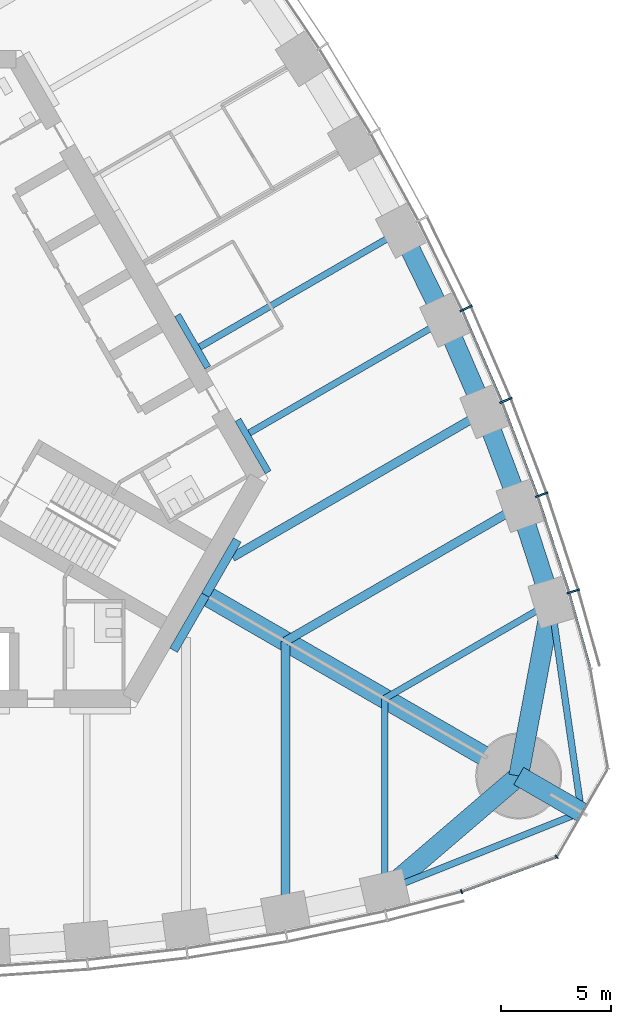
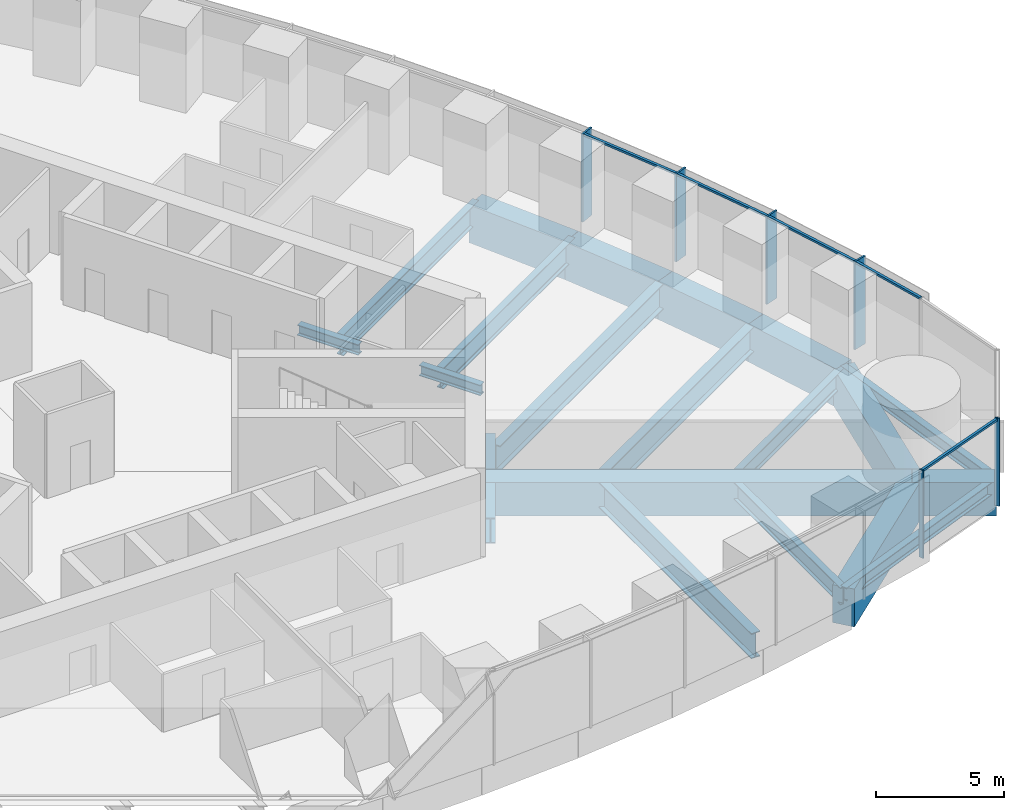
# One storey, part 4 of 18: 21 beams, 11 members, 2 elements without a shape of their own.
"""IFC4 building model written with IfcOpenShell, lengths in metres."""

from ifc_helpers import new_model, si_unit, direction, frame, origin, origin_2d, place, context, subcontext, project, spatial, rectangle, i_section, extrude, material, material_profile, profile_set, type_object, element, aggregate, save


model = new_model("IFC4")

# Units and contexts
model_context = context("Model", 3, precision=1e-05, world=origin(), true_north=direction((0.0, 1.0)))
body_context = subcontext(model_context, "Body", "Model", "MODEL_VIEW")
ifc_project = project(units=[si_unit("LENGTHUNIT", "METRE"), si_unit("AREAUNIT", "SQUARE_METRE"), si_unit("VOLUMEUNIT", "CUBIC_METRE"), si_unit("PLANEANGLEUNIT", "RADIAN"), si_unit("MASSUNIT", "GRAM", prefix="KILO")], contexts=[model_context])

# Site, building, storey
site_placement = place(None, origin())
site = spatial("IfcSite", under=ifc_project, at=site_placement, CompositionType="ELEMENT")
building_placement = place(site_placement, origin())
building = spatial("IfcBuilding", under=site, at=building_placement, Name="Trefoil Bronze Tower", CompositionType="ELEMENT")
storey_placement = place(building_placement, frame((0.0, 0.0, 202.300048828125)))
storey = spatial("IfcBuildingStorey", under=building, at=storey_placement, Name="L46", CompositionType="ELEMENT", Elevation=202.300048828125)

# Curtain wall, members
ifc_material_1 = material(Name="Tinted solar-control glass", Category="glass")
curtain_wall_type_1 = type_object("IfcCurtainWallType", Name="Bronze office curtain wall", PredefinedType="USERDEFINED", material=ifc_material_1)
curtain_wall_1_placement = place(storey_placement, origin())
curtain_wall_1 = element("IfcCurtainWall", 1, at=curtain_wall_1_placement, inside=storey, type_object=curtain_wall_type_1, Name="CW-A L46 F2", ObjectType="CURTAIN WALL", PredefinedType="USERDEFINED")
ifc_material_2 = material(Name="Bronze-finish aluminium", Category="aluminium")
ifc_material_profile_1 = material_profile(ifc_material_2, rectangle(XDim=0.60009765625, YDim=0.080078125, at=origin_2d()), Name="CW-A mullion")
ifc_profile_set_1 = profile_set([ifc_material_profile_1], Name="Bronze-finish aluminium")
member_type_1 = type_object("IfcMemberType", Name="Bronze office curtain wall mullion", PredefinedType="MULLION", material=ifc_profile_set_1)
member_1_placement = place(storey_placement, frame((31.05029296875, -8.132568359375, 0.0), z_axis=(0.0, 0.0, 1.0), x_axis=(-0.95694224323, -0.290278389002, 0.0)))
member_1 = element("IfcMember", 2, at=member_1_placement, type_object=member_type_1, Name="CW-A L46 F2 mullion 2", PredefinedType="MULLION", context=body_context, shape_type="SweptSolid", body=[
    extrude(rectangle(XDim=0.60009765625, YDim=0.080078125, at=origin_2d()), origin(), (0.0, 0.0, 1.0), 4.179931640625),
])
member_2_placement = place(storey_placement, frame((29.619873046875, -3.747314453125, 0.0), z_axis=(0.0, 0.0, 1.0), x_axis=(-0.943180077746, -0.332282020191, 0.0)))
member_2 = element("IfcMember", 3, at=member_2_placement, type_object=member_type_1, Name="CW-A L46 F2 mullion 3", PredefinedType="MULLION", context=body_context, shape_type="SweptSolid", body=[
    extrude(rectangle(XDim=0.60009765625, YDim=0.080078125, at=origin_2d()), origin(), (0.0, 0.0, 1.0), 4.179931640625),
])
member_3_placement = place(storey_placement, frame((27.999755859375, 0.529541015625, 0.0), z_axis=(0.0, 0.0, 1.0), x_axis=(-0.926689348282, -0.375828221106, 0.0)))
member_3 = element("IfcMember", 4, at=member_3_placement, type_object=member_type_1, Name="CW-A L46 F2 mullion 4", PredefinedType="MULLION", context=body_context, shape_type="SweptSolid", body=[
    extrude(rectangle(XDim=0.60009765625, YDim=0.080078125, at=origin_2d()), origin(), (0.0, 0.0, 1.0), 4.179931640625),
])
member_4_placement = place(storey_placement, frame((26.19482421875, 4.699462890625, 0.0), z_axis=(0.0, 0.0, 1.0), x_axis=(-0.908315380354, -0.418285990457, 0.0)))
member_4 = element("IfcMember", 5, at=member_4_placement, type_object=member_type_1, Name="CW-A L46 F2 mullion 5", PredefinedType="MULLION", context=body_context, shape_type="SweptSolid", body=[
    extrude(rectangle(XDim=0.60009765625, YDim=0.080078125, at=origin_2d()), origin(), (0.0, 0.0, 1.0), 4.179931640625),
])
ifc_material_3 = material(Name="Bronze-finish aluminium", Category="aluminium")
ifc_material_profile_2 = material_profile(ifc_material_3, rectangle(XDim=0.1201171875, YDim=0.10009765625, at=origin_2d()), Name="CW-A transom")
ifc_profile_set_2 = profile_set([ifc_material_profile_2], Name="Bronze-finish aluminium")
member_type_2 = type_object("IfcMemberType", Name="Bronze office curtain wall transom", PredefinedType="USERDEFINED", material=ifc_profile_set_2)
member_5_placement = place(storey_placement, frame((31.81201171875, -11.585205078125, 4.1298828125), z_axis=(-0.270284880437, 0.962780392097, 0.0), x_axis=(-0.962780392097, -0.270284880437, 0.0)))
member_5 = element("IfcMember", 6, at=member_5_placement, type_object=member_type_2, Name="CW-A L46 F2 transom 1", ObjectType="TRANSOM", PredefinedType="USERDEFINED", context=body_context, shape_type="SweptSolid", body=[
    extrude(rectangle(XDim=0.1201171875, YDim=0.10009765625, at=origin_2d()), origin(), (0.0, 0.0, 1.0), 3.48388671875),
])
member_6_placement = place(storey_placement, frame((30.845947265625, -8.150634765625, 4.1298828125), z_axis=(-0.310127806788, 0.950694874004, 0.0), x_axis=(-0.950694874004, -0.310127806788, 0.0)))
member_6 = element("IfcMember", 7, at=member_6_placement, type_object=member_type_2, Name="CW-A L46 F2 transom 2", ObjectType="TRANSOM", PredefinedType="USERDEFINED", context=body_context, shape_type="SweptSolid", body=[
    extrude(rectangle(XDim=0.1201171875, YDim=0.10009765625, at=origin_2d()), origin(), (0.0, 0.0, 1.0), 4.51953125),
])
member_7_placement = place(storey_placement, frame((29.416259765625, -3.774169921875, 4.1298828125), z_axis=(-0.354263170896, 0.935145767112, 0.0), x_axis=(-0.935145767112, -0.354263170896, 0.0)))
member_7 = element("IfcMember", 8, at=member_7_placement, type_object=member_type_2, Name="CW-A L46 F2 transom 3", ObjectType="TRANSOM", PredefinedType="USERDEFINED", context=body_context, shape_type="SweptSolid", body=[
    extrude(rectangle(XDim=0.1201171875, YDim=0.10009765625, at=origin_2d()), origin(), (0.0, 0.0, 1.0), 4.4794921875),
])
member_8_placement = place(storey_placement, frame((27.797607421875, 0.4931640625, 4.1298828125), z_axis=(-0.397220936772, 0.917723012346, 0.0), x_axis=(-0.917723012346, -0.397220936772, 0.0)))
member_8 = element("IfcMember", 9, at=member_8_placement, type_object=member_type_2, Name="CW-A L46 F2 transom 4", ObjectType="TRANSOM", PredefinedType="USERDEFINED", context=body_context, shape_type="SweptSolid", body=[
    extrude(rectangle(XDim=0.1201171875, YDim=0.10009765625, at=origin_2d()), origin(), (0.0, 0.0, 1.0), 4.449951171875),
])
aggregate(curtain_wall_1, [member_1, member_2, member_3, member_4, member_5, member_6, member_7, member_8])

ifc_material_4 = material(Name="Tinted solar-control glass", Category="glass")
curtain_wall_type_2 = type_object("IfcCurtainWallType", Name="Bronze rounded corner curtain wall", PredefinedType="USERDEFINED", material=ifc_material_4)
curtain_wall_2_placement = place(storey_placement, origin())
curtain_wall_2 = element("IfcCurtainWall", 10, at=curtain_wall_2_placement, inside=storey, type_object=curtain_wall_type_2, Name="CW-B L46 K1", ObjectType="CURTAIN WALL", PredefinedType="USERDEFINED")
ifc_material_5 = material(Name="Bronze-finish aluminium", Category="aluminium")
ifc_material_profile_3 = material_profile(ifc_material_5, rectangle(XDim=0.199951171875, YDim=0.06005859375, at=origin_2d()), Name="CW-B mullion")
ifc_profile_set_3 = profile_set([ifc_material_profile_3], Name="Bronze-finish aluminium")
member_type_3 = type_object("IfcMemberType", Name="Bronze rounded corner curtain wall mullion", PredefinedType="MULLION", material=ifc_profile_set_3)
member_9_placement = place(storey_placement, frame((25.9873046875, -21.74462890625, 0.0), z_axis=(0.0, 0.0, 1.0), x_axis=(-0.342020143326, 0.939692620786, 0.0)))
member_9 = element("IfcMember", 11, at=member_9_placement, type_object=member_type_3, Name="CW-B L46 K1 mullion 1", PredefinedType="MULLION", context=body_context, shape_type="SweptSolid", body=[
    extrude(rectangle(XDim=0.199951171875, YDim=0.06005859375, at=origin_2d()), origin(), (0.0, 0.0, 1.0), 4.179931640625),
])
member_10_placement = place(storey_placement, frame((30.302490234375, -20.16748046875, 0.0), z_axis=(0.0, 0.0, 1.0), x_axis=(-0.642787609687, 0.766044443119, 0.0)))
member_10 = element("IfcMember", 12, at=member_10_placement, type_object=member_type_3, Name="CW-B L46 K1 mullion 2", PredefinedType="MULLION", context=body_context, shape_type="SweptSolid", body=[
    extrude(rectangle(XDim=0.199951171875, YDim=0.06005859375, at=origin_2d()), origin(), (0.0, 0.0, 1.0), 4.179931640625),
])
ifc_material_6 = material(Name="Bronze-finish aluminium", Category="aluminium")
ifc_material_profile_4 = material_profile(ifc_material_6, rectangle(XDim=0.1201171875, YDim=0.10009765625, at=origin_2d()), Name="CW-B transom")
ifc_profile_set_4 = profile_set([ifc_material_profile_4], Name="Bronze-finish aluminium")
member_type_4 = type_object("IfcMemberType", Name="Bronze rounded corner curtain wall transom", PredefinedType="USERDEFINED", material=ifc_profile_set_4)
member_11_placement = place(storey_placement, frame((26.015380859375, -21.734375, 4.1298828125), z_axis=(0.939680910753, 0.342052314664, 0.0), x_axis=(-0.342052314664, 0.939680910753, 0.0)))
member_11 = element("IfcMember", 13, at=member_11_placement, type_object=member_type_4, Name="CW-B L46 K1 transom 1", ObjectType="TRANSOM", PredefinedType="USERDEFINED", context=body_context, shape_type="SweptSolid", body=[
    extrude(rectangle(XDim=0.1201171875, YDim=0.10009765625, at=origin_2d()), origin(), (0.0, 0.0, 1.0), 4.500244140625),
])
aggregate(curtain_wall_2, [member_9, member_10, member_11])

# Beams
ifc_material_7 = material(Name="Steel C355", Category="steel")
ifc_material_profile_5 = material_profile(ifc_material_7, i_section(OverallWidth=0.300048828125, OverallDepth=0.5, WebThickness=0.014404296875, FlangeThickness=0.028076171875, FilletRadius=0.027099609375, at=origin_2d()), Name="HEB 500")
ifc_profile_set_5 = profile_set([ifc_material_profile_5], Name="Steel C355")
beam_type_1 = type_object("IfcBeamType", Name="Core seat beam HEB 500", PredefinedType="BEAM", material=ifc_profile_set_5)
for number, where, z_axis, x_axis, name in (
    (14, (17.219482421875, -2.72509765625, -0.449951171875), (-0.500035825175, 0.866004719122, 0.0), (-0.866004719122, -0.500035825175, 0.0), "Core seat beam F2/-2 L46"),
    (15, (14.47705078125, 2.02490234375, -0.449951171875), (-0.499969057507, 0.866043267704, 0.0), (-0.866043267704, -0.499969057507, 0.0), "Core seat beam F2/-1 L46"),
):
    element("IfcBeam", number, at=place(storey_placement, frame(where, z_axis=z_axis, x_axis=x_axis)), inside=storey, type_object=beam_type_1, Name=name, PredefinedType="BEAM", context=body_context, shape_type="SweptSolid", body=[
        extrude(i_section(OverallWidth=0.300048828125, OverallDepth=0.5, WebThickness=0.014404296875, FlangeThickness=0.028076171875, FilletRadius=0.027099609375, at=origin_2d()), origin(), (0.0, 0.0, 1.0), 2.742431640625),
    ])
ifc_material_8 = material(Name="Steel C355", Category="steel")
ifc_material_profile_6 = material_profile(ifc_material_8, i_section(OverallWidth=0.39990234375, OverallDepth=1.199951171875, WebThickness=0.02001953125, FlangeThickness=0.0400390625, FilletRadius=0.010009765625, at=origin_2d()), Name="WPG 1200")
ifc_profile_set_6 = profile_set([ifc_material_profile_6], Name="Steel C355")
beam_type_2 = type_object("IfcBeamType", Name="Core seat beam WPG 1200", PredefinedType="BEAM", material=ifc_profile_set_6)
for number, where, z_axis, x_axis, name in (
    (16, (12.9326171875, -10.800048828125, -0.800048828125), (0.499995765644, 0.866027848477, 0.0), (-0.866027848477, 0.499995765644, 0.0), "Core seat beam F1/+3 L46"),
    (17, (14.3759765625, -8.300048828125, -0.800048828125), (0.499995765644, 0.866027848477, 0.0), (-0.866027848477, 0.499995765644, 0.0), "Core seat beam F2/-3 L46"),
):
    element("IfcBeam", number, at=place(storey_placement, frame(where, z_axis=z_axis, x_axis=x_axis)), inside=storey, type_object=beam_type_2, Name=name, PredefinedType="BEAM", context=body_context, shape_type="SweptSolid", body=[
        extrude(i_section(OverallWidth=0.39990234375, OverallDepth=1.199951171875, WebThickness=0.02001953125, FlangeThickness=0.0400390625, FilletRadius=0.010009765625, at=origin_2d()), origin(), (0.0, 0.0, 1.0), 2.88671875),
    ])
ifc_material_9 = material(Name="Concrete B80", Category="concrete")
ifc_material_profile_7 = material_profile(ifc_material_9, rectangle(XDim=0.89990234375, YDim=1.60009765625, at=origin_2d()), Name="RC 900x1600")
ifc_profile_set_7 = profile_set([ifc_material_profile_7], Name="Concrete B80")
beam_type_3 = type_object("IfcBeamType", Name="Corner cantilever RC 900x1600", PredefinedType="BEAM", material=ifc_profile_set_7)
beam_1_placement = place(storey_placement, frame((28.578857421875, -16.5, -1.0), z_axis=(0.866016004958, -0.500016278891, 0.0), x_axis=(0.500016278891, 0.866016004958, 0.0)))
element("IfcBeam", 18, at=beam_1_placement, inside=storey, type_object=beam_type_3, Name="Corner cantilever K1 L46", PredefinedType="BEAM", context=body_context, shape_type="SweptSolid", body=[
    extrude(rectangle(XDim=0.89990234375, YDim=1.60009765625, at=origin_2d()), origin(), (0.0, 0.0, 1.0), 3.28466796875),
])
ifc_material_10 = material(Name="Steel C355", Category="steel")
ifc_material_profile_8 = material_profile(ifc_material_10, i_section(OverallWidth=0.300048828125, OverallDepth=0.60009765625, WebThickness=0.015380859375, FlangeThickness=0.030029296875, FilletRadius=0.027099609375, at=origin_2d()), Name="HEB 600")
ifc_profile_set_8 = profile_set([ifc_material_profile_8], Name="Steel C355")
beam_type_4 = type_object("IfcBeamType", Name="Corner edge beam HEB 600", PredefinedType="BEAM", material=ifc_profile_set_8)
for number, where, z_axis, x_axis, name in (
    (19, (22.5, -21.71044921875, -0.5), (0.92852048463, 0.371281173266, 0.0), (-0.371281173266, 0.92852048463, 0.0), "Corner edge beam F1A L46"),
    (20, (30.052001953125, -8.63037109375, -0.5), (0.142694489722, -0.989766781925, 0.0), (0.989766781925, 0.142694489722, 0.0), "Corner edge beam F2B L46"),
):
    element("IfcBeam", number, at=place(storey_placement, frame(where, z_axis=z_axis, x_axis=x_axis)), inside=storey, type_object=beam_type_4, Name=name, PredefinedType="BEAM", context=body_context, shape_type="SweptSolid", body=[
        extrude(i_section(OverallWidth=0.300048828125, OverallDepth=0.60009765625, WebThickness=0.015380859375, FlangeThickness=0.030029296875, FilletRadius=0.027099609375, at=origin_2d()), origin(), (0.0, 0.0, 1.0), 9.6103515625),
    ])
ifc_material_11 = material(Name="Concrete B80", Category="concrete")
ifc_material_profile_9 = material_profile(ifc_material_11, rectangle(XDim=0.89990234375, YDim=1.60009765625, at=origin_2d()), Name="RC 900x1600")
ifc_profile_set_9 = profile_set([ifc_material_profile_9], Name="Concrete B80")
beam_type_5 = type_object("IfcBeamType", Name="Corner girder RC 900x1600", PredefinedType="BEAM", material=ifc_profile_set_9)
beam_2_placement = place(storey_placement, frame((14.202880859375, -8.199951171875, -1.0), z_axis=(0.866023450265, -0.500003383579, 0.0), x_axis=(0.500003383579, 0.866023450265, 0.0)))
element("IfcBeam", 21, at=beam_2_placement, inside=storey, type_object=beam_type_5, Name="Corner girder K1 L46", PredefinedType="BEAM", context=body_context, shape_type="SweptSolid", body=[
    extrude(rectangle(XDim=0.89990234375, YDim=1.60009765625, at=origin_2d()), origin(), (0.0, 0.0, 1.0), 16.60009765625),
])
ifc_material_12 = material(Name="Concrete B80", Category="concrete")
ifc_material_profile_10 = material_profile(ifc_material_12, rectangle(XDim=0.89990234375, YDim=1.800048828125, at=origin_2d()), Name="RC 900x1800")
ifc_profile_set_10 = profile_set([ifc_material_profile_10], Name="Concrete B80")
beam_type_6 = type_object("IfcBeamType", Name="End spandrel beam RC 900x1800", PredefinedType="SPANDREL", material=ifc_profile_set_10)
for number, where, z_axis, x_axis, name in (
    (22, (22.5, -21.71044921875, -1.10009765625), (0.759256602365, 0.650791373456, 0.0), (-0.650791373456, 0.759256602365, 0.0), "Spandrel F1.12 L46"),
    (23, (28.578857421875, -16.5, -1.10009765625), (0.18399763073, 0.982926686933, 0.0), (-0.982926686933, 0.18399763073, 0.0), "Spandrel F2.1 L46"),
):
    element("IfcBeam", number, at=place(storey_placement, frame(where, z_axis=z_axis, x_axis=x_axis)), inside=storey, type_object=beam_type_6, Name=name, PredefinedType="SPANDREL", context=body_context, shape_type="SweptSolid", body=[
        extrude(rectangle(XDim=0.89990234375, YDim=1.800048828125, at=origin_2d()), origin(), (0.0, 0.0, 1.0), 8.00634765625),
    ])
ifc_material_13 = material(Name="Steel C355", Category="steel")
ifc_material_profile_11 = material_profile(ifc_material_13, i_section(OverallWidth=0.300048828125, OverallDepth=1.0, WebThickness=0.01904296875, FlangeThickness=0.035888671875, FilletRadius=0.030029296875, at=origin_2d()), Name="HEB 1000")
ifc_profile_set_11 = profile_set([ifc_material_profile_11], Name="Steel C355")
beam_type_7 = type_object("IfcBeamType", Name="Floor beam HEB 1000", PredefinedType="BEAM", material=ifc_profile_set_11)
beam_3_placement = place(storey_placement, frame((25.2265625, 4.17236328125, -0.699951171875), z_axis=(-0.866017525653, -0.500013645076, 0.0), x_axis=(0.500013645076, -0.866017525653, 0.0)))
element("IfcBeam", 24, at=beam_3_placement, inside=storey, type_object=beam_type_7, Name="Floor beam F2/-2 L46", PredefinedType="BEAM", context=body_context, shape_type="SweptSolid", body=[
    extrude(i_section(OverallWidth=0.300048828125, OverallDepth=1.0, WebThickness=0.01904296875, FlangeThickness=0.035888671875, FilletRadius=0.030029296875, at=origin_2d()), origin(), (0.0, 0.0, 1.0), 10.233154296875),
])
beam_4_placement = place(storey_placement, frame((23.248046875, 8.22607421875, -0.699951171875), z_axis=(-0.866027918957, -0.499995643569, 0.0), x_axis=(0.499995643569, -0.866027918957, 0.0)))
element("IfcBeam", 25, at=beam_4_placement, inside=storey, type_object=beam_type_7, Name="Floor beam F2/-1 L46", PredefinedType="BEAM", context=body_context, shape_type="SweptSolid", body=[
    extrude(i_section(OverallWidth=0.300048828125, OverallDepth=1.0, WebThickness=0.01904296875, FlangeThickness=0.035888671875, FilletRadius=0.030029296875, at=origin_2d()), origin(), (0.0, 0.0, 1.0), 10.54638671875),
])
ifc_material_14 = material(Name="Steel C355", Category="steel")
ifc_material_profile_12 = material_profile(ifc_material_14, i_section(OverallWidth=0.300048828125, OverallDepth=0.800048828125, WebThickness=0.017578125, FlangeThickness=0.032958984375, FilletRadius=0.030029296875, at=origin_2d()), Name="HEB 800")
ifc_profile_set_12 = profile_set([ifc_material_profile_12], Name="Steel C355")
beam_type_8 = type_object("IfcBeamType", Name="Floor beam HEB 800", PredefinedType="BEAM", material=ifc_profile_set_12)
beam_5_placement = place(storey_placement, frame((22.5, -21.71044921875, -0.60009765625), z_axis=(0.0, 1.0, 0.0), x_axis=(-1.0, 0.0, 0.0)))
element("IfcBeam", 26, at=beam_5_placement, inside=storey, type_object=beam_type_8, Name="Floor beam F1/+5 L46", PredefinedType="BEAM", context=body_context, shape_type="SweptSolid", body=[
    extrude(i_section(OverallWidth=0.300048828125, OverallDepth=0.800048828125, WebThickness=0.017578125, FlangeThickness=0.032958984375, FilletRadius=0.030029296875, at=origin_2d()), origin(), (0.0, 0.0, 1.0), 8.719970703125),
])
beam_6_placement = place(storey_placement, frame((30.052001953125, -8.63037109375, -0.60009765625), z_axis=(-0.866027535932, -0.499996306993, 0.0), x_axis=(0.499996306993, -0.866027535932, 0.0)))
element("IfcBeam", 27, at=beam_6_placement, inside=storey, type_object=beam_type_8, Name="Floor beam F2/-5 L46", PredefinedType="BEAM", context=body_context, shape_type="SweptSolid", body=[
    extrude(i_section(OverallWidth=0.300048828125, OverallDepth=0.800048828125, WebThickness=0.017578125, FlangeThickness=0.032958984375, FilletRadius=0.030029296875, at=origin_2d()), origin(), (0.0, 0.0, 1.0), 8.72021484375),
])
ifc_material_15 = material(Name="Steel C355", Category="steel")
ifc_material_profile_13 = material_profile(ifc_material_15, i_section(OverallWidth=0.39990234375, OverallDepth=1.199951171875, WebThickness=0.02001953125, FlangeThickness=0.0400390625, FilletRadius=0.010009765625, at=origin_2d()), Name="WPG 1200")
ifc_profile_set_13 = profile_set([ifc_material_profile_13], Name="Steel C355")
beam_type_9 = type_object("IfcBeamType", Name="Floor beam WPG 1200", PredefinedType="BEAM", material=ifc_profile_set_13)
beam_7_placement = place(storey_placement, frame((18.0, -22.6689453125, -0.800048828125), z_axis=(0.0, 1.0, 0.0), x_axis=(-1.0, 0.0, 0.0)))
element("IfcBeam", 28, at=beam_7_placement, inside=storey, type_object=beam_type_9, Name="Floor beam F1/+4 L46", PredefinedType="BEAM", context=body_context, shape_type="SweptSolid", body=[
    extrude(i_section(OverallWidth=0.39990234375, OverallDepth=1.199951171875, WebThickness=0.02001953125, FlangeThickness=0.0400390625, FilletRadius=0.010009765625, at=origin_2d()), origin(), (0.0, 0.0, 1.0), 12.276611328125),
])
beam_8_placement = place(storey_placement, frame((28.632080078125, -4.25390625, -0.800048828125), z_axis=(-0.866025635187, -0.499999599199, 0.0), x_axis=(0.499999599199, -0.866025635187, 0.0)))
element("IfcBeam", 29, at=beam_8_placement, inside=storey, type_object=beam_type_9, Name="Floor beam F2/-4 L46", PredefinedType="BEAM", context=body_context, shape_type="SweptSolid", body=[
    extrude(i_section(OverallWidth=0.39990234375, OverallDepth=1.199951171875, WebThickness=0.02001953125, FlangeThickness=0.0400390625, FilletRadius=0.010009765625, at=origin_2d()), origin(), (0.0, 0.0, 1.0), 12.27685546875),
])
beam_9_placement = place(storey_placement, frame((27.022216796875, 0.012939453125, -0.800048828125), z_axis=(-0.866020385251, -0.500008692254, 0.0), x_axis=(0.500008692254, -0.866020385251, 0.0)))
element("IfcBeam", 30, at=beam_9_placement, inside=storey, type_object=beam_type_9, Name="Floor beam F2/-3 L46", PredefinedType="BEAM", context=body_context, shape_type="SweptSolid", body=[
    extrude(i_section(OverallWidth=0.39990234375, OverallDepth=1.199951171875, WebThickness=0.02001953125, FlangeThickness=0.0400390625, FilletRadius=0.010009765625, at=origin_2d()), origin(), (0.0, 0.0, 1.0), 13.191162109375),
])
ifc_material_16 = material(Name="Concrete B80", Category="concrete")
ifc_material_profile_14 = material_profile(ifc_material_16, rectangle(XDim=0.89990234375, YDim=1.800048828125, at=origin_2d()), Name="RC 900x1800")
ifc_profile_set_14 = profile_set([ifc_material_profile_14], Name="Concrete B80")
beam_type_10 = type_object("IfcBeamType", Name="Spandrel beam RC 900x1800", PredefinedType="SPANDREL", material=ifc_profile_set_14)
beam_10_placement = place(storey_placement, frame((30.052001953125, -8.63037109375, -1.10009765625), z_axis=(-0.308608505504, 0.951189145402, 0.0), x_axis=(-0.951189145402, -0.308608505504, 0.0)))
element("IfcBeam", 31, at=beam_10_placement, inside=storey, type_object=beam_type_10, Name="Spandrel F2.2 L46", PredefinedType="SPANDREL", context=body_context, shape_type="SweptSolid", body=[
    extrude(rectangle(XDim=0.89990234375, YDim=1.800048828125, at=origin_2d()), origin(), (0.0, 0.0, 1.0), 4.60107421875),
])
beam_11_placement = place(storey_placement, frame((28.632080078125, -4.25390625, -1.10009765625), z_axis=(-0.353005969632, 0.935621069346, 0.0), x_axis=(-0.935621069346, -0.353005969632, 0.0)))
element("IfcBeam", 32, at=beam_11_placement, inside=storey, type_object=beam_type_10, Name="Spandrel F2.3 L46", PredefinedType="SPANDREL", context=body_context, shape_type="SweptSolid", body=[
    extrude(rectangle(XDim=0.89990234375, YDim=1.800048828125, at=origin_2d()), origin(), (0.0, 0.0, 1.0), 4.560546875),
])
beam_12_placement = place(storey_placement, frame((27.022216796875, 0.012939453125, -1.10009765625), z_axis=(-0.396350337164, 0.918099346602, 0.0), x_axis=(-0.918099346602, -0.396350337164, 0.0)))
element("IfcBeam", 33, at=beam_12_placement, inside=storey, type_object=beam_type_10, Name="Spandrel F2.4 L46", PredefinedType="SPANDREL", context=body_context, shape_type="SweptSolid", body=[
    extrude(rectangle(XDim=0.89990234375, YDim=1.800048828125, at=origin_2d()), origin(), (0.0, 0.0, 1.0), 4.530517578125),
])
beam_13_placement = place(storey_placement, frame((25.2265625, 4.17236328125, -1.10009765625), z_axis=(-0.438619830351, 0.898672712629, 0.0), x_axis=(-0.898672712629, -0.438619830351, 0.0)))
element("IfcBeam", 34, at=beam_13_placement, inside=storey, type_object=beam_type_10, Name="Spandrel F2.5 L46", PredefinedType="SPANDREL", context=body_context, shape_type="SweptSolid", body=[
    extrude(rectangle(XDim=0.89990234375, YDim=1.800048828125, at=origin_2d()), origin(), (0.0, 0.0, 1.0), 4.5107421875),
])

save(model, "model.ifc")
